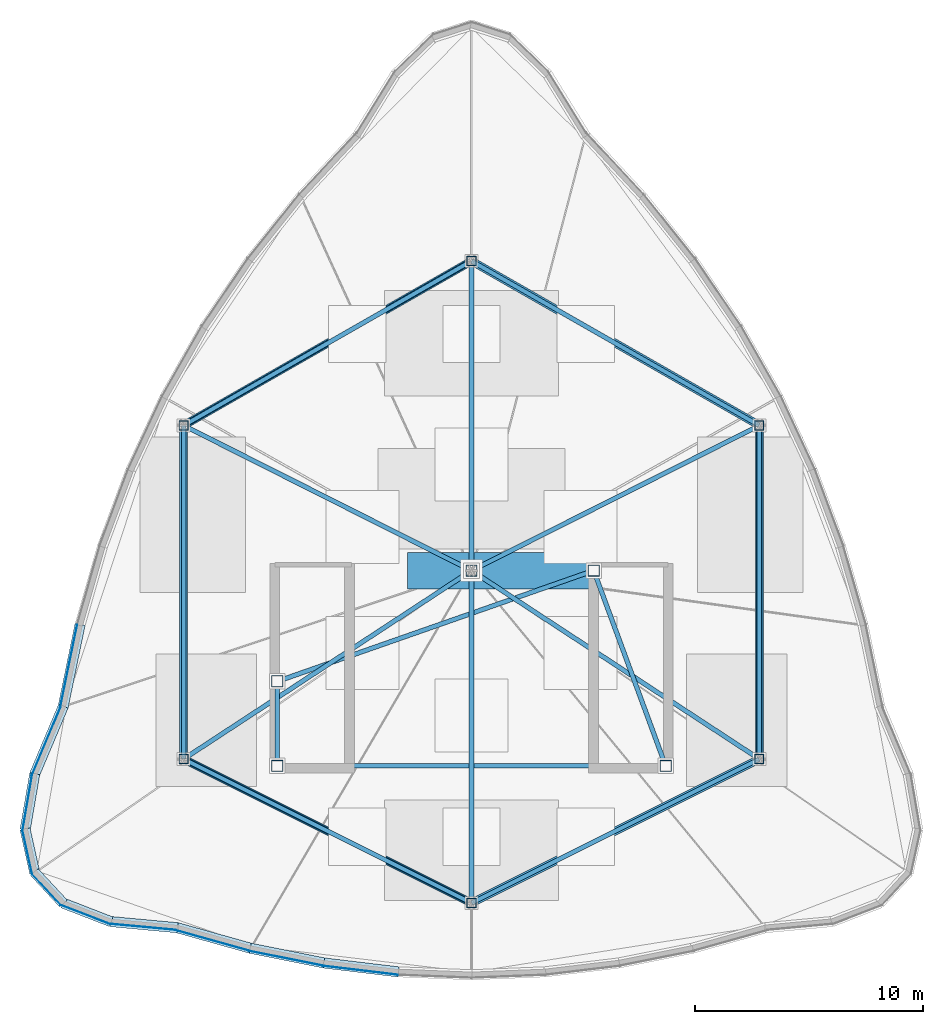
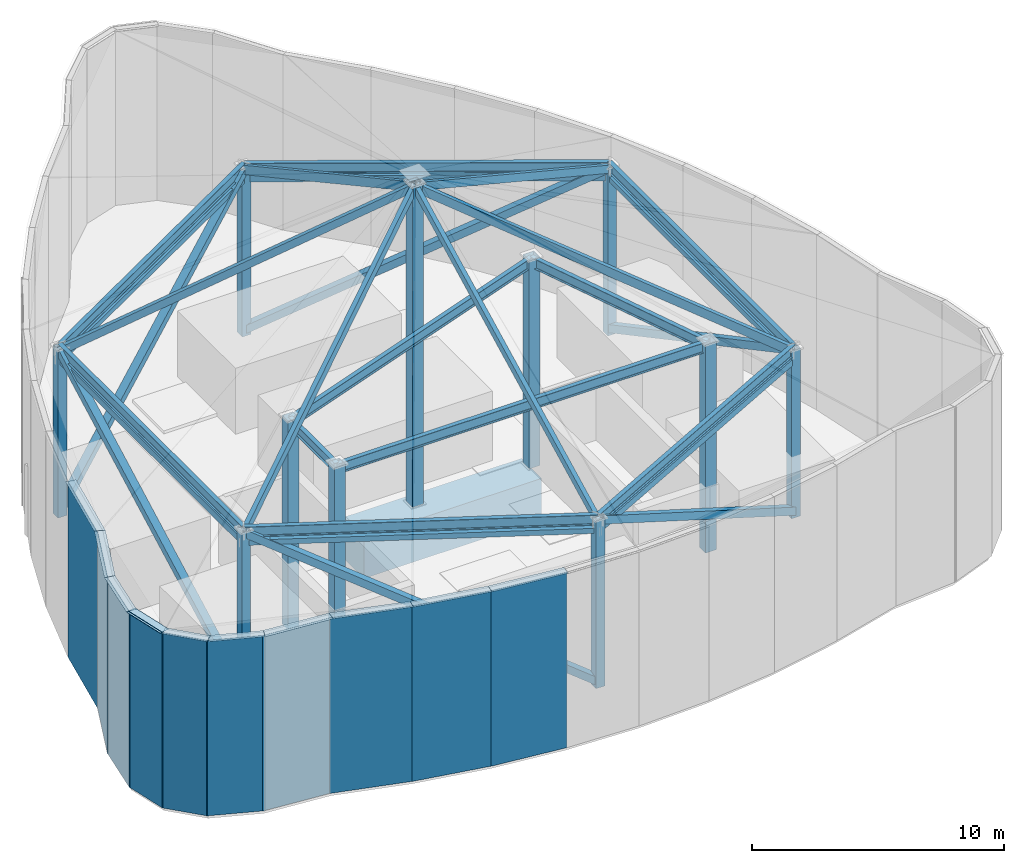
# One storey, part 1 of 6: 20 plates, 18 members, 11 beams, 11 columns.
"""IFC4 building model written with IfcOpenShell, lengths in metres."""

import ifcopenshell
import ifcopenshell.guid

model = None  # the IFC model being written
_history = None  # IfcOwnerHistory: only IFC2X3 demands one
_inside = {}  # id of a spatial element -> (the spatial element, [elements in it])
_under = {}  # id of a project, library or spatial element -> (it, [spatial elements below it])
_declared = {}  # id of a project -> (the project, [libraries it declares])
_typed = {}  # id of a type object -> (the type object, [elements of that type])
_made_of = {}  # id of a material, layer set ... -> (it, [elements and type objects made of it])


def new_model(schema):
    """Start an empty IFC model of exactly this schema.

    Asked for "IFC4X3", IfcOpenShell would pick the latest addendum, in which some entities
    have other attributes; the version numbers below select the first issue.
    IFC2X3 requires an IfcOwnerHistory on every rooted entity: one is made here for all.
    """
    global model, _history
    if schema == "IFC4X3":
        model = ifcopenshell.file(schema_version=(4, 3, 0, 0))
    else:
        model = ifcopenshell.file(schema=schema)
    _inside.clear()
    _under.clear()
    _declared.clear()
    _typed.clear()
    _made_of.clear()
    _history = None
    if model.schema == "IFC2X3":
        org = make("IfcOrganization", Name="unknown")
        user = make(
            "IfcPersonAndOrganization",
            ThePerson=make("IfcPerson", FamilyName="unknown"),
            TheOrganization=org,
        )
        app = make(
            "IfcApplication",
            ApplicationDeveloper=org,
            Version="unknown",
            ApplicationFullName="unknown",
            ApplicationIdentifier="unknown",
        )
        _history = make(
            "IfcOwnerHistory",
            OwningUser=user,
            OwningApplication=app,
            ChangeAction="ADDED",
            CreationDate=0,
        )
    return model


def make(cls, **values):
    """One entity of the class cls with the attributes given. An attribute that is None is left unset."""
    return model.create_entity(
        cls, **{name: value for name, value in values.items() if value is not None}
    )


def rooted(cls, **values):
    """An entity with a GlobalId (a new one), such as an element, a storey or a relation."""
    return make(cls, GlobalId=ifcopenshell.guid.new(), OwnerHistory=_history, **values)


def si_unit(unit_type, name, prefix=None):
    """IfcSIUnit, for example si_unit("LENGTHUNIT", "METRE", prefix="MILLI")."""
    return make("IfcSIUnit", UnitType=unit_type, Prefix=prefix, Name=name)


def assignment(units):
    """IfcUnitAssignment: the units of a project."""
    return None if units is None else make("IfcUnitAssignment", Units=units)


def point(xyz):
    """IfcCartesianPoint."""
    return None if xyz is None else make("IfcCartesianPoint", Coordinates=xyz)


def direction(xyz):
    """IfcDirection."""
    return None if xyz is None else make("IfcDirection", DirectionRatios=xyz)


def frame(location, z_axis=None, x_axis=None):
    """IfcAxis2Placement3D, a coordinate frame: its origin and axes. An axis left out is left unset."""
    return make(
        "IfcAxis2Placement3D",
        Location=point(location),
        Axis=direction(z_axis),
        RefDirection=direction(x_axis),
    )


def frame_2d(location, x_axis=None):
    """IfcAxis2Placement2D, a coordinate frame in the plane: its origin and x axis."""
    return make(
        "IfcAxis2Placement2D", Location=point(location), RefDirection=direction(x_axis)
    )


def origin():
    """The frame at (0, 0, 0) with its axes left unset."""
    return frame((0.0, 0.0, 0.0))


def origin_2d():
    """The frame at (0, 0) in the plane with its x axis left unset."""
    return frame_2d((0.0, 0.0))


def place(relative_to, where):
    """IfcLocalPlacement: puts the frame where relative to a parent placement (None: the world)."""
    return make(
        "IfcLocalPlacement", PlacementRelTo=relative_to, RelativePlacement=where
    )


def context(
    kind, dimensions, precision=None, world=None, true_north=None, identifier=None
):
    """IfcGeometricRepresentationContext, for example the 3D "Model" context."""
    return make(
        "IfcGeometricRepresentationContext",
        ContextIdentifier=identifier,
        ContextType=kind,
        CoordinateSpaceDimension=dimensions,
        Precision=precision,
        WorldCoordinateSystem=world,
        TrueNorth=true_north,
    )


def subcontext(parent, identifier, kind, view, scale=None):
    """IfcGeometricRepresentationSubContext, for example "Body" below "Model"."""
    return make(
        "IfcGeometricRepresentationSubContext",
        ContextIdentifier=identifier,
        ContextType=kind,
        ParentContext=parent,
        TargetScale=scale,
        TargetView=view,
    )


def project(units=None, contexts=None):
    """IfcProject with its units and contexts."""
    return rooted(
        "IfcProject",
        Name="project",
        RepresentationContexts=contexts,
        UnitsInContext=assignment(units),
    )


def spatial(cls, under=None, at=None, **own):
    """A site, building, storey or space (cls), placed at a placement, below another one or the project."""
    s = rooted(cls, ObjectPlacement=at, **own)
    if under is not None:
        _under.setdefault(under.id(), (under, []))[1].append(s)
    return s


def profile(cls, at=None, kind="AREA", **sizes):
    """A parametric profile (cls). Its sizes go by their IFC names, for example OverallWidth=200.0."""
    return make(cls, ProfileType=kind, Position=at, **sizes)


def rectangle(**sizes):
    """IfcRectangleProfileDef."""
    return profile("IfcRectangleProfileDef", **sizes)


def hollow_rectangle(**sizes):
    """IfcRectangleHollowProfileDef."""
    return profile("IfcRectangleHollowProfileDef", **sizes)


def i_section(**sizes):
    """IfcIShapeProfileDef."""
    return profile("IfcIShapeProfileDef", **sizes)


def extrude(swept, where, along, depth):
    """IfcExtrudedAreaSolid: the profile swept, set in the frame where, extruded along a direction by depth."""
    return make(
        "IfcExtrudedAreaSolid",
        SweptArea=swept,
        Position=where,
        ExtrudedDirection=direction(along),
        Depth=depth,
    )


def shape(context_of_items, identifier, shape_type, items):
    """IfcShapeRepresentation: the items that make up one representation, for example the "Body"."""
    return make(
        "IfcShapeRepresentation",
        ContextOfItems=context_of_items,
        RepresentationIdentifier=identifier,
        RepresentationType=shape_type,
        Items=items,
    )


def material(Name=None, Category=None):
    """IfcMaterial."""
    return make("IfcMaterial", Name=Name, Category=Category)


def layer(
    of_material, thickness, ventilated=None, Name=None, Category=None, Priority=None
):
    """IfcMaterialLayer: one layer of a wall or slab, of a material (None: an air gap)."""
    return make(
        "IfcMaterialLayer",
        Material=of_material,
        LayerThickness=thickness,
        IsVentilated=ventilated,
        Name=Name,
        Category=Category,
        Priority=Priority,
    )


def layer_set(layers, Name=None):
    """IfcMaterialLayerSet."""
    return make("IfcMaterialLayerSet", MaterialLayers=layers, LayerSetName=Name)


def material_profile(
    of_material, cross_section, Name=None, Category=None, Priority=None
):
    """IfcMaterialProfile: a cross section and its material."""
    return make(
        "IfcMaterialProfile",
        Name=Name,
        Material=of_material,
        Profile=cross_section,
        Priority=Priority,
        Category=Category,
    )


def profile_set(profiles, Name=None, composite=None):
    """IfcMaterialProfileSet."""
    return make(
        "IfcMaterialProfileSet",
        Name=Name,
        MaterialProfiles=profiles,
        CompositeProfile=composite,
    )


def made_of(thing, what):
    """Note that an element or type object is made of a material, layer set ...; save() writes the relation."""
    if what is not None:
        _made_of.setdefault(what.id(), (what, []))[1].append(thing)
    return thing


def type_object(cls, material=None, **own):
    """A type object (cls), such as IfcWallType, which elements share."""
    return made_of(rooted(cls, **own), material)


def element(
    cls,
    number,
    at=None,
    inside=None,
    cuts=None,
    type_object=None,
    material=None,
    context=None,
    identifier="Body",
    shape_type=None,
    held_by="IfcProductDefinitionShape",
    body=None,
    shapes=None,
    **own,
):
    """One element of the class cls, such as IfcWall. Its Tag is "e" and its number.

    at: its placement. inside: the storey or other place that contains it. cuts: it is an
    opening in that element (IfcRelVoidsElement). A single representation is given by context,
    identifier, shape_type and body (its items); several are given by shapes. held_by: the class
    of the entity that holds the representations. save() writes the other relations.
    """
    e = rooted(cls, Tag="e%d" % number, ObjectPlacement=at, **own)
    if body is not None:
        shapes = [shape(context, identifier, shape_type, body)]
    if shapes is not None:
        e.Representation = make(held_by, Representations=shapes)
    if inside is not None:
        _inside.setdefault(inside.id(), (inside, []))[1].append(e)
    if cuts is not None:
        rooted(
            "IfcRelVoidsElement", RelatingBuildingElement=cuts, RelatedOpeningElement=e
        )
    if type_object is not None:
        _typed.setdefault(type_object.id(), (type_object, []))[1].append(e)
    return made_of(e, material)


def aggregate(whole, parts):
    """IfcRelAggregates: a whole, such as a stair, and the parts it consists of."""
    return rooted("IfcRelAggregates", RelatingObject=whole, RelatedObjects=parts)


def save(model, path):
    """Write the relations noted so far, then the file.

    IfcRelAggregates (storeys below a building ...), IfcRelContainedInSpatialStructure (elements
    in a storey), IfcRelDefinesByType, IfcRelAssociatesMaterial and IfcRelDeclares: one each for
    every whole, place, type object, material and project.
    """
    for whole, parts in _under.values():
        aggregate(whole, parts)
    for where, things in _inside.values():
        rooted(
            "IfcRelContainedInSpatialStructure",
            RelatedElements=things,
            RelatingStructure=where,
        )
    for kind, things in _typed.values():
        rooted("IfcRelDefinesByType", RelatedObjects=things, RelatingType=kind)
    for what, things in _made_of.values():
        rooted("IfcRelAssociatesMaterial", RelatedObjects=things, RelatingMaterial=what)
    for by, libraries in _declared.values():
        rooted("IfcRelDeclares", RelatingContext=by, RelatedDefinitions=libraries)
    model.write(path)


model = new_model("IFC4")

# Units and contexts
model_context = context("Model", 3, precision=1e-05, world=origin(), true_north=direction((0.0, 1.0)))
body_context = subcontext(model_context, "Body", "Model", "MODEL_VIEW")
ifc_project = project(units=[si_unit("LENGTHUNIT", "METRE"), si_unit("AREAUNIT", "SQUARE_METRE"), si_unit("VOLUMEUNIT", "CUBIC_METRE"), si_unit("PLANEANGLEUNIT", "RADIAN"), si_unit("MASSUNIT", "GRAM", prefix="KILO")], contexts=[model_context])

# Site, building, storey
site_placement = place(None, origin())
site = spatial("IfcSite", under=ifc_project, at=site_placement, CompositionType="ELEMENT")
building_placement = place(site_placement, origin())
building = spatial("IfcBuilding", under=site, at=building_placement, Name="Miruveldt Soraemaru", CompositionType="ELEMENT")
storey_placement = place(building_placement, frame((0.0, 0.0, 318.0)))
storey = spatial("IfcBuildingStorey", under=building, at=storey_placement, Name="RF", CompositionType="ELEMENT", Elevation=318.0)

# Columns
ifc_material_1 = material(Name="Steel S460 (460 MPa)", Category="steel")
ifc_material_profile_1 = material_profile(ifc_material_1, hollow_rectangle(XDim=0.39990234375, YDim=0.39990234375, WallThickness=0.02001953125, at=origin_2d()), Name="Steel S460 (460 MPa)", Category="steel")
ifc_profile_set_1 = profile_set([ifc_material_profile_1], Name="Steel S460 (460 MPa)")
column_type_1 = type_object("IfcColumnType", Name="COL-CRN-400", PredefinedType="USERDEFINED", material=ifc_profile_set_1)
for number, where, z_axis, x_axis, name in (
    (1, (44.0, 57.60009765625, 0.0), (0.0, 0.0, 1.0), (1.0, 0.0, 0.0), "RF CROWN FRAME Perimeter Post 01"),
    (2, (56.60009765625, 50.39990234375, 0.0), (0.0, 0.0, 1.0), (1.0, 0.0, 0.0), "RF CROWN FRAME Perimeter Post 02"),
    (3, (56.60009765625, 35.800048828125, 0.0), (0.0, 0.0, 1.0), (1.0, 0.0, 0.0), "RF CROWN FRAME Perimeter Post 03"),
    (4, (44.0, 29.5, 0.0), (0.0, 0.0, 1.0), (1.0, 0.0, 0.0), "RF CROWN FRAME Perimeter Post 04"),
    (5, (31.39990234375, 35.800048828125, 0.0), (0.0, 0.0, 1.0), (1.0, 0.0, 0.0), "RF CROWN FRAME Perimeter Post 05"),
    (6, (31.39990234375, 50.39990234375, 0.0), (0.0, 0.0, 1.0), (1.0, 0.0, 0.0), "RF CROWN FRAME Perimeter Post 06"),
):
    element("IfcColumn", number, at=place(storey_placement, frame(where, z_axis=z_axis, x_axis=x_axis)), inside=storey, type_object=column_type_1, Name=name, ObjectType="CROWN POST", PredefinedType="USERDEFINED", context=body_context, shape_type="SweptSolid", body=[
        extrude(hollow_rectangle(XDim=0.39990234375, YDim=0.39990234375, WallThickness=0.02001953125, at=origin_2d()), origin(), (0.0, 0.0, 1.0), 8.14990234375),
    ])
ifc_material_profile_2 = material_profile(ifc_material_1, hollow_rectangle(XDim=0.5, YDim=0.5, WallThickness=0.02490234375, at=origin_2d()), Name="Steel S460 (460 MPa)", Category="steel")
ifc_profile_set_2 = profile_set([ifc_material_profile_2], Name="Steel S460 (460 MPa)")
column_type_2 = type_object("IfcColumnType", Name="COL-CRN-500", PredefinedType="USERDEFINED", material=ifc_profile_set_2)
for number, where, z_axis, x_axis, name in (
    (7, (35.5, 35.5, 0.0), (0.0, 0.0, 1.0), (1.0, 0.0, 0.0), "RF CROWN FRAME Core Ridge Post 1"),
    (8, (52.5, 35.5, 0.0), (0.0, 0.0, 1.0), (1.0, 0.0, 0.0), "RF CROWN FRAME Core Ridge Post 2"),
    (9, (49.35009765625, 44.050048828125, 0.0), (0.0, 0.0, 1.0), (1.0, 0.0, 0.0), "RF CROWN FRAME Core Ridge Post 3"),
    (10, (35.5, 39.199951171875, 0.0), (0.0, 0.0, 1.0), (1.0, 0.0, 0.0), "RF CROWN FRAME Core Ridge Post 4"),
):
    element("IfcColumn", number, at=place(storey_placement, frame(where, z_axis=z_axis, x_axis=x_axis)), inside=storey, type_object=column_type_2, Name=name, ObjectType="CROWN POST", PredefinedType="USERDEFINED", context=body_context, shape_type="SweptSolid", body=[
        extrude(hollow_rectangle(XDim=0.5, YDim=0.5, WallThickness=0.02490234375, at=origin_2d()), origin(), (0.0, 0.0, 1.0), 10.10009765625),
    ])
column_placement = place(storey_placement, frame((44.0, 44.050048828125, 0.0), z_axis=(0.0, 0.0, 1.0), x_axis=(1.0, 0.0, 0.0)))
element("IfcColumn", 11, at=column_placement, inside=storey, type_object=column_type_2, Name="RF CROWN FRAME Central Peak Post", ObjectType="CROWN POST", PredefinedType="USERDEFINED", context=body_context, shape_type="SweptSolid", body=[
    extrude(hollow_rectangle(XDim=0.5, YDim=0.5, WallThickness=0.02490234375, at=origin_2d()), origin(), (0.0, 0.0, 1.0), 15.550048828125),
])

# Beams
ifc_material_2 = material(Name="Steel SM355 (355 MPa)", Category="steel")
ifc_material_profile_3 = material_profile(ifc_material_2, i_section(OverallWidth=0.199951171875, OverallDepth=0.5, WebThickness=0.010009765625, FlangeThickness=0.01611328125, FilletRadius=0.02001953125, at=origin_2d()), Name="Steel SM355 (355 MPa)", Category="steel")
ifc_profile_set_3 = profile_set([ifc_material_profile_3], Name="Steel SM355 (355 MPa)")
beam_type_1 = type_object("IfcBeamType", Name="BM-ST-H500", PredefinedType="SPANDREL", material=ifc_profile_set_3)
beam_1_placement = place(storey_placement, frame((44.0, 57.60009765625, 8.050048828125), z_axis=(0.868239001029, -0.496146185203, 0.0), x_axis=(0.496146185203, 0.868239001029, 0.0)))
element("IfcBeam", 12, at=beam_1_placement, inside=storey, type_object=beam_type_1, Name="RF CROWN FRAME Cap Ring Beam 1", PredefinedType="SPANDREL", context=body_context, shape_type="SweptSolid", body=[
    extrude(i_section(OverallWidth=0.199951171875, OverallDepth=0.5, WebThickness=0.010009765625, FlangeThickness=0.01611328125, FilletRadius=0.02001953125, at=origin_2d()), origin(), (0.0, 0.0, 1.0), 14.51220703125),
])
beam_2_placement = place(storey_placement, frame((56.60009765625, 50.39990234375, 8.050048828125), z_axis=(0.0, -1.0, 0.0), x_axis=(1.0, 0.0, 0.0)))
element("IfcBeam", 13, at=beam_2_placement, inside=storey, type_object=beam_type_1, Name="RF CROWN FRAME Cap Ring Beam 2", PredefinedType="SPANDREL", context=body_context, shape_type="SweptSolid", body=[
    extrude(i_section(OverallWidth=0.199951171875, OverallDepth=0.5, WebThickness=0.010009765625, FlangeThickness=0.01611328125, FilletRadius=0.02001953125, at=origin_2d()), origin(), (0.0, 0.0, 1.0), 14.599853515625),
])
for number, where, z_axis, x_axis, name in (
    (14, (56.60009765625, 35.800048828125, 8.050048828125), (-0.894427191, -0.4472135955, 0.0), (0.4472135955, -0.894427191, 0.0), "RF CROWN FRAME Cap Ring Beam 3"),
    (15, (44.0, 29.5, 8.050048828125), (-0.894427191, 0.4472135955, 0.0), (-0.4472135955, -0.894427191, 0.0), "RF CROWN FRAME Cap Ring Beam 4"),
):
    element("IfcBeam", number, at=place(storey_placement, frame(where, z_axis=z_axis, x_axis=x_axis)), inside=storey, type_object=beam_type_1, Name=name, PredefinedType="SPANDREL", context=body_context, shape_type="SweptSolid", body=[
        extrude(i_section(OverallWidth=0.199951171875, OverallDepth=0.5, WebThickness=0.010009765625, FlangeThickness=0.01611328125, FilletRadius=0.02001953125, at=origin_2d()), origin(), (0.0, 0.0, 1.0), 14.08740234375),
    ])
beam_3_placement = place(storey_placement, frame((31.39990234375, 35.800048828125, 8.050048828125), z_axis=(0.0, 1.0, 0.0), x_axis=(-1.0, 0.0, 0.0)))
element("IfcBeam", 16, at=beam_3_placement, inside=storey, type_object=beam_type_1, Name="RF CROWN FRAME Cap Ring Beam 5", PredefinedType="SPANDREL", context=body_context, shape_type="SweptSolid", body=[
    extrude(i_section(OverallWidth=0.199951171875, OverallDepth=0.5, WebThickness=0.010009765625, FlangeThickness=0.01611328125, FilletRadius=0.02001953125, at=origin_2d()), origin(), (0.0, 0.0, 1.0), 14.599853515625),
])
beam_4_placement = place(storey_placement, frame((31.39990234375, 50.39990234375, 8.050048828125), z_axis=(0.868239001029, 0.496146185203, 0.0), x_axis=(-0.496146185203, 0.868239001029, 0.0)))
element("IfcBeam", 17, at=beam_4_placement, inside=storey, type_object=beam_type_1, Name="RF CROWN FRAME Cap Ring Beam 6", PredefinedType="SPANDREL", context=body_context, shape_type="SweptSolid", body=[
    extrude(i_section(OverallWidth=0.199951171875, OverallDepth=0.5, WebThickness=0.010009765625, FlangeThickness=0.01611328125, FilletRadius=0.02001953125, at=origin_2d()), origin(), (0.0, 0.0, 1.0), 14.51220703125),
])
beam_5_placement = place(storey_placement, frame((35.5, 35.5, 9.85009765625), z_axis=(1.0, 0.0, 0.0), x_axis=(0.0, 1.0, 0.0)))
element("IfcBeam", 18, at=beam_5_placement, inside=storey, type_object=beam_type_1, Name="RF CROWN FRAME Collar Ring Beam 1", PredefinedType="SPANDREL", context=body_context, shape_type="SweptSolid", body=[
    extrude(i_section(OverallWidth=0.199951171875, OverallDepth=0.5, WebThickness=0.010009765625, FlangeThickness=0.01611328125, FilletRadius=0.02001953125, at=origin_2d()), origin(), (0.0, 0.0, 1.0), 17.0),
])
beam_6_placement = place(storey_placement, frame((52.5, 35.5, 9.85009765625), z_axis=(-0.345694183809, 0.938347233854, 0.0), x_axis=(-0.938347233854, -0.345694183809, 0.0)))
element("IfcBeam", 19, at=beam_6_placement, inside=storey, type_object=beam_type_1, Name="RF CROWN FRAME Collar Ring Beam 2", PredefinedType="SPANDREL", context=body_context, shape_type="SweptSolid", body=[
    extrude(i_section(OverallWidth=0.199951171875, OverallDepth=0.5, WebThickness=0.010009765625, FlangeThickness=0.01611328125, FilletRadius=0.02001953125, at=origin_2d()), origin(), (0.0, 0.0, 1.0), 9.11181640625),
])
beam_7_placement = place(storey_placement, frame((49.35009765625, 44.050048828125, 9.85009765625), z_axis=(-0.94380387572, -0.330506042571, 0.0), x_axis=(0.330506042571, -0.94380387572, 0.0)))
element("IfcBeam", 20, at=beam_7_placement, inside=storey, type_object=beam_type_1, Name="RF CROWN FRAME Collar Ring Beam 3", PredefinedType="SPANDREL", context=body_context, shape_type="SweptSolid", body=[
    extrude(i_section(OverallWidth=0.199951171875, OverallDepth=0.5, WebThickness=0.010009765625, FlangeThickness=0.01611328125, FilletRadius=0.02001953125, at=origin_2d()), origin(), (0.0, 0.0, 1.0), 14.6748046875),
])
beam_8_placement = place(storey_placement, frame((35.5, 39.199951171875, 9.85009765625), z_axis=(0.0, -1.0, 0.0), x_axis=(1.0, 0.0, 0.0)))
element("IfcBeam", 21, at=beam_8_placement, inside=storey, type_object=beam_type_1, Name="RF CROWN FRAME Collar Ring Beam 4", PredefinedType="SPANDREL", context=body_context, shape_type="SweptSolid", body=[
    extrude(i_section(OverallWidth=0.199951171875, OverallDepth=0.5, WebThickness=0.010009765625, FlangeThickness=0.01611328125, FilletRadius=0.02001953125, at=origin_2d()), origin(), (0.0, 0.0, 1.0), 3.699951171875),
])
ifc_material_3 = material(Name="Concrete C70/85 (70 MPa)", Category="concrete")
ifc_material_profile_4 = material_profile(ifc_material_3, rectangle(XDim=1.60009765625, YDim=2.0, at=origin_2d()), Name="Concrete C70/85 (70 MPa)", Category="concrete")
ifc_profile_set_4 = profile_set([ifc_material_profile_4], Name="Concrete C70/85 (70 MPa)")
beam_type_2 = type_object("IfcBeamType", Name="BM-TG-1600x2000", PredefinedType="USERDEFINED", material=ifc_profile_set_4)
beam_9_placement = place(storey_placement, frame((41.199951171875, 44.050048828125, -1.2099609375), z_axis=(1.0, 0.0, 0.0), x_axis=(0.0, 1.0, 0.0)))
element("IfcBeam", 22, at=beam_9_placement, inside=storey, type_object=beam_type_2, Name="RF Crown Peak Transfer Girder", ObjectType="TRANSFER GIRDER", PredefinedType="USERDEFINED", context=body_context, shape_type="SweptSolid", body=[
    extrude(rectangle(XDim=1.60009765625, YDim=2.0, at=origin_2d()), origin(), (0.0, 0.0, 1.0), 8.150146484375),
])

# Members
ifc_material_profile_5 = material_profile(ifc_material_1, hollow_rectangle(XDim=0.35009765625, YDim=0.35009765625, WallThickness=0.01611328125, at=origin_2d()), Name="Steel S460 (460 MPa)", Category="steel")
ifc_profile_set_5 = profile_set([ifc_material_profile_5], Name="Steel S460 (460 MPa)")
member_type_1 = type_object("IfcMemberType", Name="MEM-CRN-SHS350", PredefinedType="BRACE", material=ifc_profile_set_5)
member_1_placement = place(storey_placement, frame((44.0, 57.60009765625, 0.25), z_axis=(0.764772318211, -0.437021220862, 0.473429777069), x_axis=(0.496146185203, 0.868239001029, 0.0)))
element("IfcMember", 23, at=member_1_placement, inside=storey, type_object=member_type_1, Name="RF CROWN FRAME Wind Brace 1", PredefinedType="BRACE", context=body_context, shape_type="SweptSolid", body=[
    extrude(hollow_rectangle(XDim=0.35009765625, YDim=0.35009765625, WallThickness=0.01611328125, at=origin_2d()), origin(), (0.0, 0.0, 1.0), 16.4755859375),
])
member_2_placement = place(storey_placement, frame((56.60009765625, 50.39990234375, 0.25), z_axis=(0.0, -0.882015065254, 0.471221205662), x_axis=(1.0, 0.0, 0.0)))
element("IfcMember", 24, at=member_2_placement, inside=storey, type_object=member_type_1, Name="RF CROWN FRAME Wind Brace 2", PredefinedType="BRACE", context=body_context, shape_type="SweptSolid", body=[
    extrude(hollow_rectangle(XDim=0.35009765625, YDim=0.35009765625, WallThickness=0.01611328125, at=origin_2d()), origin(), (0.0, 0.0, 1.0), 16.552734375),
])
for number, where, z_axis, x_axis, name in (
    (25, (56.60009765625, 35.800048828125, 0.25), (-0.782488228967, -0.391244114484, 0.484396753096), (0.4472135955, -0.894427191, 0.0), "RF CROWN FRAME Wind Brace 3"),
    (26, (44.0, 29.5, 0.25), (-0.782488228967, 0.391244114484, 0.484396753096), (-0.4472135955, -0.894427191, 0.0), "RF CROWN FRAME Wind Brace 4"),
):
    element("IfcMember", number, at=place(storey_placement, frame(where, z_axis=z_axis, x_axis=x_axis)), inside=storey, type_object=member_type_1, Name=name, PredefinedType="BRACE", context=body_context, shape_type="SweptSolid", body=[
        extrude(hollow_rectangle(XDim=0.35009765625, YDim=0.35009765625, WallThickness=0.01611328125, at=origin_2d()), origin(), (0.0, 0.0, 1.0), 16.1025390625),
    ])
member_3_placement = place(storey_placement, frame((31.39990234375, 35.800048828125, 0.25), z_axis=(0.0, 0.882015065254, 0.471221205662), x_axis=(-1.0, 0.0, 0.0)))
element("IfcMember", 27, at=member_3_placement, inside=storey, type_object=member_type_1, Name="RF CROWN FRAME Wind Brace 5", PredefinedType="BRACE", context=body_context, shape_type="SweptSolid", body=[
    extrude(hollow_rectangle(XDim=0.35009765625, YDim=0.35009765625, WallThickness=0.01611328125, at=origin_2d()), origin(), (0.0, 0.0, 1.0), 16.552734375),
])
member_4_placement = place(storey_placement, frame((31.39990234375, 50.39990234375, 0.25), z_axis=(0.764772318211, 0.437021220862, 0.473429777069), x_axis=(-0.496146185203, 0.868239001029, 0.0)))
element("IfcMember", 28, at=member_4_placement, inside=storey, type_object=member_type_1, Name="RF CROWN FRAME Wind Brace 6", PredefinedType="BRACE", context=body_context, shape_type="SweptSolid", body=[
    extrude(hollow_rectangle(XDim=0.35009765625, YDim=0.35009765625, WallThickness=0.01611328125, at=origin_2d()), origin(), (0.0, 0.0, 1.0), 16.4755859375),
])
ifc_material_profile_6 = material_profile(ifc_material_2, hollow_rectangle(XDim=0.199951171875, YDim=0.300048828125, WallThickness=0.011962890625, at=origin_2d()), Name="Steel SM355 (355 MPa)", Category="steel")
ifc_profile_set_6 = profile_set([ifc_material_profile_6], Name="Steel SM355 (355 MPa)")
member_type_2 = type_object("IfcMemberType", Name="MEM-PUR-RHS300", PredefinedType="PURLIN", material=ifc_profile_set_6)
member_5_placement = place(storey_placement, frame((44.0, 57.60009765625, 7.550048828125), z_axis=(0.868239001029, -0.496146185203, 0.0), x_axis=(0.496146185203, 0.868239001029, 0.0)))
element("IfcMember", 29, at=member_5_placement, inside=storey, type_object=member_type_2, Name="RF CROWN FRAME Eaves Purlin 1", PredefinedType="PURLIN", context=body_context, shape_type="SweptSolid", body=[
    extrude(hollow_rectangle(XDim=0.199951171875, YDim=0.300048828125, WallThickness=0.011962890625, at=origin_2d()), origin(), (0.0, 0.0, 1.0), 14.51220703125),
])
member_6_placement = place(storey_placement, frame((56.60009765625, 35.800048828125, 7.550048828125), z_axis=(-0.894427191, -0.4472135955, 0.0), x_axis=(0.4472135955, -0.894427191, 0.0)))
element("IfcMember", 30, at=member_6_placement, inside=storey, type_object=member_type_2, Name="RF CROWN FRAME Eaves Purlin 3", PredefinedType="PURLIN", context=body_context, shape_type="SweptSolid", body=[
    extrude(hollow_rectangle(XDim=0.199951171875, YDim=0.300048828125, WallThickness=0.011962890625, at=origin_2d()), origin(), (0.0, 0.0, 1.0), 14.08740234375),
])
member_7_placement = place(storey_placement, frame((31.39990234375, 35.800048828125, 7.550048828125), z_axis=(0.0, 1.0, 0.0), x_axis=(-1.0, 0.0, 0.0)))
element("IfcMember", 31, at=member_7_placement, inside=storey, type_object=member_type_2, Name="RF CROWN FRAME Eaves Purlin 5", PredefinedType="PURLIN", context=body_context, shape_type="SweptSolid", body=[
    extrude(hollow_rectangle(XDim=0.199951171875, YDim=0.300048828125, WallThickness=0.011962890625, at=origin_2d()), origin(), (0.0, 0.0, 1.0), 14.599853515625),
])
ifc_material_profile_7 = material_profile(ifc_material_2, hollow_rectangle(XDim=0.25, YDim=0.25, WallThickness=0.011962890625, at=origin_2d()), Name="Steel SM355 (355 MPa)", Category="steel")
ifc_profile_set_7 = profile_set([ifc_material_profile_7], Name="Steel SM355 (355 MPa)")
member_type_3 = type_object("IfcMemberType", Name="MEM-PUR-SHS250", PredefinedType="PURLIN", material=ifc_profile_set_7)
member_8_placement = place(storey_placement, frame((56.60009765625, 50.39990234375, 7.550048828125), z_axis=(0.0, -1.0, 0.0), x_axis=(1.0, 0.0, 0.0)))
element("IfcMember", 32, at=member_8_placement, inside=storey, type_object=member_type_3, Name="RF CROWN FRAME Eaves Purlin 2", PredefinedType="PURLIN", context=body_context, shape_type="SweptSolid", body=[
    extrude(hollow_rectangle(XDim=0.25, YDim=0.25, WallThickness=0.011962890625, at=origin_2d()), origin(), (0.0, 0.0, 1.0), 14.599853515625),
])
member_9_placement = place(storey_placement, frame((44.0, 29.5, 7.550048828125), z_axis=(-0.894427191, 0.4472135955, 0.0), x_axis=(-0.4472135955, -0.894427191, 0.0)))
element("IfcMember", 33, at=member_9_placement, inside=storey, type_object=member_type_3, Name="RF CROWN FRAME Eaves Purlin 4", PredefinedType="PURLIN", context=body_context, shape_type="SweptSolid", body=[
    extrude(hollow_rectangle(XDim=0.25, YDim=0.25, WallThickness=0.011962890625, at=origin_2d()), origin(), (0.0, 0.0, 1.0), 14.08740234375),
])
member_10_placement = place(storey_placement, frame((31.39990234375, 50.39990234375, 7.550048828125), z_axis=(0.868239001029, 0.496146185203, 0.0), x_axis=(-0.496146185203, 0.868239001029, 0.0)))
element("IfcMember", 34, at=member_10_placement, inside=storey, type_object=member_type_3, Name="RF CROWN FRAME Eaves Purlin 6", PredefinedType="PURLIN", context=body_context, shape_type="SweptSolid", body=[
    extrude(hollow_rectangle(XDim=0.25, YDim=0.25, WallThickness=0.011962890625, at=origin_2d()), origin(), (0.0, 0.0, 1.0), 14.51220703125),
])
ifc_material_profile_8 = material_profile(ifc_material_1, hollow_rectangle(XDim=0.199951171875, YDim=0.35009765625, WallThickness=0.011962890625, at=origin_2d()), Name="Steel S460 (460 MPa)", Category="steel")
ifc_profile_set_8 = profile_set([ifc_material_profile_8], Name="Steel S460 (460 MPa)")
member_type_4 = type_object("IfcMemberType", Name="MEM-RAF-RHS350", PredefinedType="RAFTER", material=ifc_profile_set_8)
member_11_placement = place(storey_placement, frame((56.60009765625, 50.39990234375, 7.949951171875), z_axis=(-0.790841360529, -0.398546656578, 0.464467980604), x_axis=(0.450035225647, -0.893010803785, 0.0)))
element("IfcMember", 35, at=member_11_placement, inside=storey, type_object=member_type_4, Name="RF CROWN FRAME Gable Rafter 2", PredefinedType="RAFTER", context=body_context, shape_type="SweptSolid", body=[
    extrude(hollow_rectangle(XDim=0.199951171875, YDim=0.35009765625, WallThickness=0.011962890625, at=origin_2d()), origin(), (0.0, 0.0, 1.0), 15.9326171875),
])
member_12_placement = place(storey_placement, frame((44.0, 29.5, 7.949951171875), z_axis=(0.0, 0.891340165273, 0.453335096558), x_axis=(-1.0, 0.0, 0.0)))
element("IfcMember", 36, at=member_12_placement, inside=storey, type_object=member_type_4, Name="RF CROWN FRAME Gable Rafter 4", PredefinedType="RAFTER", context=body_context, shape_type="SweptSolid", body=[
    extrude(hollow_rectangle(XDim=0.199951171875, YDim=0.35009765625, WallThickness=0.011962890625, at=origin_2d()), origin(), (0.0, 0.0, 1.0), 16.32373046875),
])
member_13_placement = place(storey_placement, frame((31.39990234375, 50.39990234375, 7.949951171875), z_axis=(0.790841360529, -0.398546656578, 0.464467980604), x_axis=(0.450035225647, 0.893010803785, 0.0)))
element("IfcMember", 37, at=member_13_placement, inside=storey, type_object=member_type_4, Name="RF CROWN FRAME Gable Rafter 6", PredefinedType="RAFTER", context=body_context, shape_type="SweptSolid", body=[
    extrude(hollow_rectangle(XDim=0.199951171875, YDim=0.35009765625, WallThickness=0.011962890625, at=origin_2d()), origin(), (0.0, 0.0, 1.0), 15.9326171875),
])
ifc_material_profile_9 = material_profile(ifc_material_1, hollow_rectangle(XDim=0.199951171875, YDim=0.39990234375, WallThickness=0.013916015625, at=origin_2d()), Name="Steel S460 (460 MPa)", Category="steel")
ifc_profile_set_9 = profile_set([ifc_material_profile_9], Name="Steel S460 (460 MPa)")
member_type_5 = type_object("IfcMemberType", Name="MEM-RAF-RHS400", PredefinedType="RAFTER", material=ifc_profile_set_9)
member_14_placement = place(storey_placement, frame((44.0, 57.60009765625, 7.949951171875), z_axis=(0.0, -0.877644658245, 0.47931185449), x_axis=(1.0, 0.0, 0.0)))
element("IfcMember", 38, at=member_14_placement, inside=storey, type_object=member_type_5, Name="RF CROWN FRAME Gable Rafter 1", PredefinedType="RAFTER", context=body_context, shape_type="SweptSolid", body=[
    extrude(hollow_rectangle(XDim=0.199951171875, YDim=0.39990234375, WallThickness=0.013916015625, at=origin_2d()), origin(), (0.0, 0.0, 1.0), 15.439208984375),
])
for number, where, z_axis, x_axis, name in (
    (39, (56.60009765625, 35.800048828125, 7.949951171875), (-0.750874768779, 0.491640383387, 0.440995255115), (-0.547782969742, -0.836620474325, 0.0), "RF CROWN FRAME Gable Rafter 3"),
    (40, (31.39990234375, 35.800048828125, 7.949951171875), (0.750874768779, 0.491640383387, 0.440995255115), (-0.547782969742, 0.836620474325, 0.0), "RF CROWN FRAME Gable Rafter 5"),
):
    element("IfcMember", number, at=place(storey_placement, frame(where, z_axis=z_axis, x_axis=x_axis)), inside=storey, type_object=member_type_5, Name=name, PredefinedType="RAFTER", context=body_context, shape_type="SweptSolid", body=[
        extrude(hollow_rectangle(XDim=0.199951171875, YDim=0.39990234375, WallThickness=0.013916015625, at=origin_2d()), origin(), (0.0, 0.0, 1.0), 16.780517578125),
    ])

# Plates
ifc_material_4 = material(Name="Anodised aluminium EN AW-6063 T6", Category="aluminium")
ifc_layer_1 = layer(ifc_material_4, 0.01611328125, Name="Anodised aluminium EN AW-6063 T6", Category="aluminium")
ifc_layer_set_1 = layer_set([ifc_layer_1], Name="Anodised aluminium EN AW-6063 T6")
plate_type_1 = type_object("IfcPlateType", Name="PLT-SCREEN-16", PredefinedType="USERDEFINED", material=ifc_layer_set_1)
plate_1_placement = place(storey_placement, frame((26.367919921875, 39.861083984375, 0.0), z_axis=(0.0, 0.0, 1.0), x_axis=(-0.201573702956, -0.979473349447, 0.0)))
element("IfcPlate", 41, at=plate_1_placement, inside=storey, type_object=plate_type_1, Name="RF Crown Perforated Metal SCREEN Panel 14", ObjectType="SCREEN", PredefinedType="USERDEFINED", context=body_context, shape_type="SweptSolid", body=[
    extrude(rectangle(XDim=3.69921875, YDim=0.01611328125, at=origin_2d()), origin(), (0.0, 0.0, 1.0), 8.5),
])
plate_2_placement = place(storey_placement, frame((25.381591796875, 36.5751953125, 0.0), z_axis=(0.0, 0.0, 1.0), x_axis=(-0.388593320922, -0.921409372068, 0.0)))
element("IfcPlate", 42, at=plate_2_placement, inside=storey, type_object=plate_type_1, Name="RF Crown Perforated Metal SCREEN Panel 15", ObjectType="SCREEN", PredefinedType="USERDEFINED", context=body_context, shape_type="SweptSolid", body=[
    extrude(rectangle(XDim=3.2607421875, YDim=0.01611328125, at=origin_2d()), origin(), (0.0, 0.0, 1.0), 8.5),
])
plate_3_placement = place(storey_placement, frame((24.554931640625, 33.873046875, 0.0), z_axis=(0.0, 0.0, 1.0), x_axis=(-0.169349503849, -0.985556059058, 0.0)))
element("IfcPlate", 43, at=plate_3_placement, inside=storey, type_object=plate_type_1, Name="RF Crown Perforated Metal SCREEN Panel 16", ObjectType="SCREEN", PredefinedType="USERDEFINED", context=body_context, shape_type="SweptSolid", body=[
    extrude(rectangle(XDim=2.506103515625, YDim=0.01611328125, at=origin_2d()), origin(), (0.0, 0.0, 1.0), 8.5),
])
plate_4_placement = place(storey_placement, frame((24.560302734375, 31.711669921875, 0.0), z_axis=(0.0, 0.0, 1.0), x_axis=(0.215723893499, -0.976454403325, 0.0)))
element("IfcPlate", 44, at=plate_4_placement, inside=storey, type_object=plate_type_1, Name="RF Crown Perforated Metal SCREEN Panel 17", ObjectType="SCREEN", PredefinedType="USERDEFINED", context=body_context, shape_type="SweptSolid", body=[
    extrude(rectangle(XDim=1.97802734375, YDim=0.01611328125, at=origin_2d()), origin(), (0.0, 0.0, 1.0), 8.5),
])
plate_5_placement = place(storey_placement, frame((25.397705078125, 30.08935546875, 0.0), z_axis=(0.0, 0.0, 1.0), x_axis=(0.68017091003, -0.733053567721, 0.0)))
element("IfcPlate", 45, at=plate_5_placement, inside=storey, type_object=plate_type_1, Name="RF Crown Perforated Metal SCREEN Panel 18", ObjectType="SCREEN", PredefinedType="USERDEFINED", context=body_context, shape_type="SweptSolid", body=[
    extrude(rectangle(XDim=1.884521484375, YDim=0.01611328125, at=origin_2d()), origin(), (0.0, 0.0, 1.0), 8.5),
])
plate_6_placement = place(storey_placement, frame((27.068115234375, 29.0048828125, 0.0), z_axis=(0.0, 0.0, 1.0), x_axis=(0.932279613482, -0.361738472223, 0.0)))
element("IfcPlate", 46, at=plate_6_placement, inside=storey, type_object=plate_type_1, Name="RF Crown Perforated Metal SCREEN Panel 19", ObjectType="SCREEN", PredefinedType="USERDEFINED", context=body_context, shape_type="SweptSolid", body=[
    extrude(rectangle(XDim=2.28076171875, YDim=0.01611328125, at=origin_2d()), origin(), (0.0, 0.0, 1.0), 8.5),
])
plate_7_placement = place(storey_placement, frame((29.572265625, 28.45751953125, 0.0), z_axis=(0.0, 0.0, 1.0), x_axis=(0.995761697887, -0.091970870503, 0.0)))
element("IfcPlate", 47, at=plate_7_placement, inside=storey, type_object=plate_type_1, Name="RF Crown Perforated Metal SCREEN Panel 20", ObjectType="SCREEN", PredefinedType="USERDEFINED", context=body_context, shape_type="SweptSolid", body=[
    extrude(rectangle(XDim=2.973876953125, YDim=0.01611328125, at=origin_2d()), origin(), (0.0, 0.0, 1.0), 8.5),
])
plate_8_placement = place(storey_placement, frame((32.651611328125, 27.860595703125, 0.0), z_axis=(0.0, 0.0, 1.0), x_axis=(0.962960473511, -0.26964259021, 0.0)))
element("IfcPlate", 48, at=plate_8_placement, inside=storey, type_object=plate_type_1, Name="RF Crown Perforated Metal SCREEN Panel 21", ObjectType="SCREEN", PredefinedType="USERDEFINED", context=body_context, shape_type="SweptSolid", body=[
    extrude(rectangle(XDim=3.394287109375, YDim=0.01611328125, at=origin_2d()), origin(), (0.0, 0.0, 1.0), 8.5),
])
plate_9_placement = place(storey_placement, frame((35.890869140625, 27.076171875, 0.0), z_axis=(0.0, 0.0, 1.0), x_axis=(0.980583867301, -0.196100176415, 0.0)))
element("IfcPlate", 49, at=plate_9_placement, inside=storey, type_object=plate_type_1, Name="RF Crown Perforated Metal SCREEN Panel 22", ObjectType="SCREEN", PredefinedType="USERDEFINED", context=body_context, shape_type="SweptSolid", body=[
    extrude(rectangle(XDim=3.333984375, YDim=0.01611328125, at=origin_2d()), origin(), (0.0, 0.0, 1.0), 8.5),
])
plate_10_placement = place(storey_placement, frame((39.133056640625, 26.55224609375, 0.0), z_axis=(0.0, 0.0, 1.0), x_axis=(0.9928742876, -0.119166476087, 0.0)))
element("IfcPlate", 50, at=plate_10_placement, inside=storey, type_object=plate_type_1, Name="RF Crown Perforated Metal SCREEN Panel 23", ObjectType="SCREEN", PredefinedType="USERDEFINED", context=body_context, shape_type="SweptSolid", body=[
    extrude(rectangle(XDim=3.293212890625, YDim=0.01611328125, at=origin_2d()), origin(), (0.0, 0.0, 1.0), 8.5),
])
ifc_material_5 = material(Name="Standing-seam titanium-zinc sheet", Category="aluminium")
ifc_layer_2 = layer(ifc_material_5, 0.011962890625, Name="Standing-seam titanium-zinc sheet", Category="aluminium")
ifc_layer_set_2 = layer_set([ifc_layer_2], Name="Standing-seam titanium-zinc sheet")
plate_type_2 = type_object("IfcPlateType", Name="PLT-ZINC-12", PredefinedType="SHEET", material=ifc_layer_set_2)
plate_11_placement = place(storey_placement, frame((26.49560546875, 39.88525390625, 8.48779296875), z_axis=(0.0, 0.0, 1.0), x_axis=(-0.201573702956, -0.979473349447, 0.0)))
element("IfcPlate", 51, at=plate_11_placement, inside=storey, type_object=plate_type_2, Name="RF Crown Perimeter Eaves Zinc Flashing Sheet 14", PredefinedType="SHEET", context=body_context, shape_type="SweptSolid", body=[
    extrude(rectangle(XDim=3.689208984375, YDim=0.449951171875, at=origin_2d()), origin(), (0.0, 0.0, 1.0), 0.011962890625),
])
plate_12_placement = place(storey_placement, frame((25.50390625, 36.618896484375, 8.48779296875), z_axis=(0.0, 0.0, 1.0), x_axis=(-0.388593320922, -0.921409372068, 0.0)))
element("IfcPlate", 52, at=plate_12_placement, inside=storey, type_object=plate_type_2, Name="RF Crown Perimeter Eaves Zinc Flashing Sheet 15", PredefinedType="SHEET", context=body_context, shape_type="SweptSolid", body=[
    extrude(rectangle(XDim=3.250732421875, YDim=0.449951171875, at=origin_2d()), origin(), (0.0, 0.0, 1.0), 0.011962890625),
])
plate_13_placement = place(storey_placement, frame((24.672119140625, 33.92919921875, 8.48779296875), z_axis=(0.0, 0.0, 1.0), x_axis=(-0.169349503849, -0.985556059058, 0.0)))
element("IfcPlate", 53, at=plate_13_placement, inside=storey, type_object=plate_type_2, Name="RF Crown Perimeter Eaves Zinc Flashing Sheet 16", PredefinedType="SHEET", context=body_context, shape_type="SweptSolid", body=[
    extrude(rectangle(XDim=2.49609375, YDim=0.449951171875, at=origin_2d()), origin(), (0.0, 0.0, 1.0), 0.011962890625),
])
plate_14_placement = place(storey_placement, frame((24.672119140625, 31.77783203125, 8.48779296875), z_axis=(0.0, 0.0, 1.0), x_axis=(0.215723893499, -0.976454403325, 0.0)))
element("IfcPlate", 54, at=plate_14_placement, inside=storey, type_object=plate_type_2, Name="RF Crown Perimeter Eaves Zinc Flashing Sheet 17", PredefinedType="SHEET", context=body_context, shape_type="SweptSolid", body=[
    extrude(rectangle(XDim=1.968017578125, YDim=0.449951171875, at=origin_2d()), origin(), (0.0, 0.0, 1.0), 0.011962890625),
])
plate_15_placement = place(storey_placement, frame((25.50390625, 30.1640625, 8.48779296875), z_axis=(0.0, 0.0, 1.0), x_axis=(0.68017091003, -0.733053567721, 0.0)))
element("IfcPlate", 55, at=plate_15_placement, inside=storey, type_object=plate_type_2, Name="RF Crown Perimeter Eaves Zinc Flashing Sheet 18", PredefinedType="SHEET", context=body_context, shape_type="SweptSolid", body=[
    extrude(rectangle(XDim=1.87451171875, YDim=0.449951171875, at=origin_2d()), origin(), (0.0, 0.0, 1.0), 0.011962890625),
])
plate_16_placement = place(storey_placement, frame((27.167724609375, 29.08837890625, 8.48779296875), z_axis=(0.0, 0.0, 1.0), x_axis=(0.932279613482, -0.361738472223, 0.0)))
element("IfcPlate", 56, at=plate_16_placement, inside=storey, type_object=plate_type_2, Name="RF Crown Perimeter Eaves Zinc Flashing Sheet 19", PredefinedType="SHEET", context=body_context, shape_type="SweptSolid", body=[
    extrude(rectangle(XDim=2.270751953125, YDim=0.449951171875, at=origin_2d()), origin(), (0.0, 0.0, 1.0), 0.011962890625),
])
plate_17_placement = place(storey_placement, frame((29.6630859375, 28.55029296875, 8.48779296875), z_axis=(0.0, 0.0, 1.0), x_axis=(0.995761697887, -0.091970870503, 0.0)))
element("IfcPlate", 57, at=plate_17_placement, inside=storey, type_object=plate_type_2, Name="RF Crown Perimeter Eaves Zinc Flashing Sheet 20", PredefinedType="SHEET", context=body_context, shape_type="SweptSolid", body=[
    extrude(rectangle(XDim=2.9638671875, YDim=0.449951171875, at=origin_2d()), origin(), (0.0, 0.0, 1.0), 0.011962890625),
])
plate_18_placement = place(storey_placement, frame((32.72900390625, 27.965087890625, 8.48779296875), z_axis=(0.0, 0.0, 1.0), x_axis=(0.962960473511, -0.26964259021, 0.0)))
element("IfcPlate", 58, at=plate_18_placement, inside=storey, type_object=plate_type_2, Name="RF Crown Perimeter Eaves Zinc Flashing Sheet 21", PredefinedType="SHEET", context=body_context, shape_type="SweptSolid", body=[
    extrude(rectangle(XDim=3.38427734375, YDim=0.449951171875, at=origin_2d()), origin(), (0.0, 0.0, 1.0), 0.011962890625),
])
plate_19_placement = place(storey_placement, frame((35.94921875, 27.1923828125, 8.48779296875), z_axis=(0.0, 0.0, 1.0), x_axis=(0.980583867301, -0.196100176415, 0.0)))
element("IfcPlate", 59, at=plate_19_placement, inside=storey, type_object=plate_type_2, Name="RF Crown Perimeter Eaves Zinc Flashing Sheet 22", PredefinedType="SHEET", context=body_context, shape_type="SweptSolid", body=[
    extrude(rectangle(XDim=3.32421875, YDim=0.449951171875, at=origin_2d()), origin(), (0.0, 0.0, 1.0), 0.011962890625),
])
plate_20_placement = place(storey_placement, frame((39.169677734375, 26.677001953125, 8.48779296875), z_axis=(0.0, 0.0, 1.0), x_axis=(0.9928742876, -0.119166476087, 0.0)))
element("IfcPlate", 60, at=plate_20_placement, inside=storey, type_object=plate_type_2, Name="RF Crown Perimeter Eaves Zinc Flashing Sheet 23", PredefinedType="SHEET", context=body_context, shape_type="SweptSolid", body=[
    extrude(rectangle(XDim=3.283203125, YDim=0.449951171875, at=origin_2d()), origin(), (0.0, 0.0, 1.0), 0.011962890625),
])

save(model, "model.ifc")
